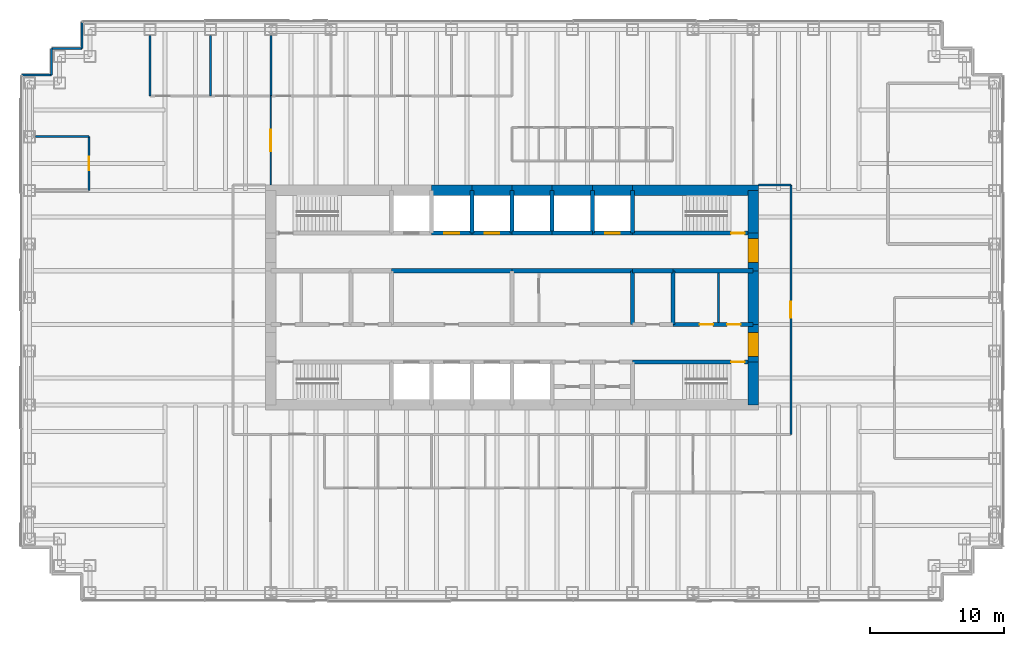
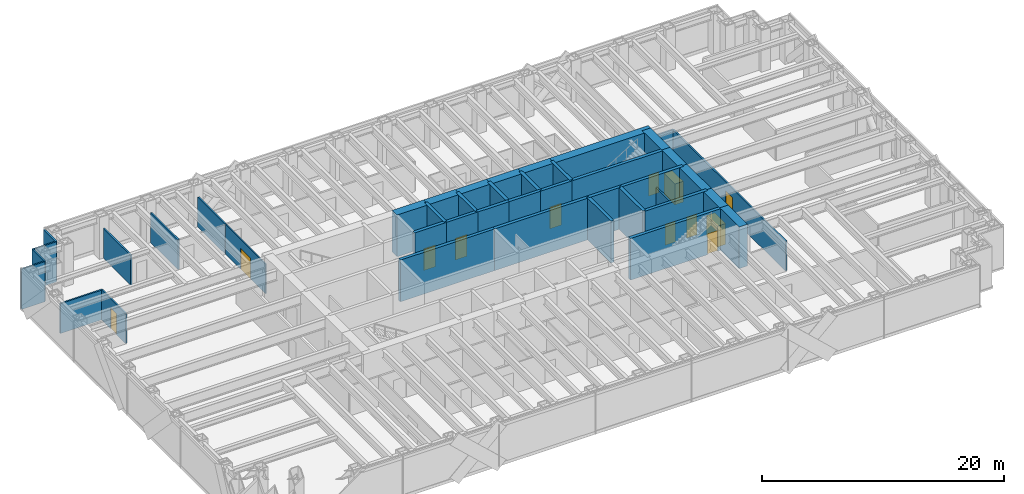
# One storey, part 12 of 15: 43 walls, 12 doors, 12 openings.
"""IFC4 building model written with IfcOpenShell, lengths in metres."""

from ifc_helpers import new_model, si_unit, direction, frame, frame_2d, origin, place, context, subcontext, project, spatial, rectangle, extrude, material, layer, layer_set, type_object, element, fill, save


model = new_model("IFC4")

# Units and contexts
model_context = context("Model", 3, precision=1e-05, world=origin(), true_north=direction((0.0, 1.0)))
body_context = subcontext(model_context, "Body", "Model", "MODEL_VIEW")
ifc_project = project(units=[si_unit("LENGTHUNIT", "METRE"), si_unit("AREAUNIT", "SQUARE_METRE"), si_unit("VOLUMEUNIT", "CUBIC_METRE"), si_unit("PLANEANGLEUNIT", "RADIAN"), si_unit("MASSUNIT", "GRAM", prefix="KILO")], contexts=[model_context])

# Site, building, storey
site_placement = place(None, origin())
site = spatial("IfcSite", under=ifc_project, at=site_placement, CompositionType="ELEMENT")
building_placement = place(site_placement, origin())
building = spatial("IfcBuilding", under=site, at=building_placement, Name="Rheinbord Bourse Tower", CompositionType="ELEMENT")
storey_placement = place(building_placement, frame((0.0, 0.0, 257.199951171875)))
storey = spatial("IfcBuildingStorey", under=building, at=storey_placement, Name="L58", CompositionType="ELEMENT", Elevation=257.199951171875)

# Wall, opening, door
ifc_material_1 = material(Name="Concrete C50/60", Category="concrete")
ifc_layer_1 = layer(ifc_material_1, 0.300048828125)
ifc_layer_set_1 = layer_set([ifc_layer_1], Name="CORE INNER WALL 300")
wall_type_1 = type_object("IfcWallType", Name="CORE INNER WALL 300", PredefinedType="SOLIDWALL", material=ifc_layer_set_1)
wall_1_placement = place(storey_placement, frame((45.0, 19.199951171875, 0.0), z_axis=(0.0, 0.0, 1.0), x_axis=(1.0, 0.0, 0.0)))
wall_1 = element("IfcWall", 1, at=wall_1_placement, inside=storey, type_object=wall_type_1, Name="Core wall A8 L58", PredefinedType="SOLIDWALL", context=body_context, shape_type="SweptSolid", body=[
    extrude(rectangle(XDim=9.0, YDim=0.300048828125, at=frame_2d((4.5, 0.0))), origin(), (0.0, 0.0, 1.0), 4.199951171875),
])
opening_1_placement = place(wall_1_placement, frame((7.35009765625, 0.0, 0.0)))
opening_1 = element("IfcOpeningElement", 2, at=opening_1_placement, cuts=wall_1, Name="Opening 5830", PredefinedType="OPENING", context=body_context, shape_type="SweptSolid", body=[
    extrude(rectangle(XDim=1.0, YDim=2.10009765625, at=frame_2d((0.5, 1.050048828125))), frame((0.0, 0.159912109375, 0.0), z_axis=(0.0, -1.0, 0.0), x_axis=(1.0, 0.0, 0.0)), (0.0, 0.0, 1.0), 0.320068359375),
])
ifc_material_2 = material(Name="Steel door", Category="steel")
door_type_1 = type_object("IfcDoorType", Name="DOOR 1000 EI30", OperationType="SINGLE_SWING_LEFT", PredefinedType="DOOR", material=ifc_material_2)
door_1_placement = place(opening_1_placement, origin())
door_1 = element("IfcDoor", 3, at=door_1_placement, inside=storey, type_object=door_type_1, Name="Stair door ST3 L58", OperationType="SINGLE_SWING_RIGHT", OverallHeight=2.10009765625, OverallWidth=1.0, PredefinedType="DOOR", context=body_context, shape_type="SweptSolid", body=[
    extrude(rectangle(XDim=1.0, YDim=2.10009765625, at=frame_2d((0.5, 1.050048828125))), frame((0.0, 0.02490234375, 0.0), z_axis=(0.0, -1.0, 0.0), x_axis=(1.0, 0.0, 0.0)), (0.0, 0.0, 1.0), 0.050048828125),
])
fill(opening_1, door_1)

wall_2_placement = place(storey_placement, frame((30.0, 28.800048828125, 0.0), z_axis=(0.0, 0.0, 1.0), x_axis=(1.0, 0.0, 0.0)))
wall_2 = element("IfcWall", 4, at=wall_2_placement, inside=storey, type_object=wall_type_1, Name="Core wall B3 L58", PredefinedType="SOLIDWALL", context=body_context, shape_type="SweptSolid", body=[
    extrude(rectangle(XDim=3.0, YDim=0.300048828125, at=frame_2d((1.5, 0.0))), origin(), (0.0, 0.0, 1.0), 4.199951171875),
])
opening_2_placement = place(wall_2_placement, frame((0.949951171875, 0.0, 0.0)))
opening_2 = element("IfcOpeningElement", 5, at=opening_2_placement, cuts=wall_2, Name="Opening PC4", PredefinedType="OPENING", context=body_context, shape_type="SweptSolid", body=[
    extrude(rectangle(XDim=1.10009765625, YDim=2.199951171875, at=frame_2d((0.550048828125, 1.10009765625))), frame((0.0, 0.159912109375, 0.0), z_axis=(0.0, -1.0, 0.0), x_axis=(1.0, 0.0, 0.0)), (0.0, 0.0, 1.0), 0.320068359375),
])
ifc_material_3 = material(Name="Steel landing door", Category="steel")
door_type_2 = type_object("IfcDoorType", Name="LIFT LANDING DOOR 1100", OperationType="DOUBLE_DOOR_SLIDING", PredefinedType="USERDEFINED", material=ifc_material_3)
door_2_placement = place(opening_2_placement, origin())
door_2 = element("IfcDoor", 6, at=door_2_placement, inside=storey, type_object=door_type_2, Name="Lift landing door PC4 L58", ObjectType="LIFT LANDING DOOR", OperationType="DOUBLE_DOOR_SLIDING", OverallHeight=2.199951171875, OverallWidth=1.10009765625, PredefinedType="USERDEFINED", context=body_context, shape_type="SweptSolid", body=[
    extrude(rectangle(XDim=1.10009765625, YDim=2.199951171875, at=frame_2d((0.550048828125, 1.10009765625))), frame((0.0, 0.02490234375, 0.0), z_axis=(0.0, -1.0, 0.0), x_axis=(1.0, 0.0, 0.0)), (0.0, 0.0, 1.0), 0.050048828125),
])
fill(opening_2, door_2)

wall_3_placement = place(storey_placement, frame((33.0, 28.800048828125, 0.0), z_axis=(0.0, 0.0, 1.0), x_axis=(1.0, 0.0, 0.0)))
wall_3 = element("IfcWall", 7, at=wall_3_placement, inside=storey, type_object=wall_type_1, Name="Core wall B4 L58", PredefinedType="SOLIDWALL", context=body_context, shape_type="SweptSolid", body=[
    extrude(rectangle(XDim=3.0, YDim=0.300048828125, at=frame_2d((1.5, 0.0))), origin(), (0.0, 0.0, 1.0), 4.199951171875),
])
opening_3_placement = place(wall_3_placement, frame((0.949951171875, 0.0, 0.0)))
opening_3 = element("IfcOpeningElement", 8, at=opening_3_placement, cuts=wall_3, Name="Opening PC5", PredefinedType="OPENING", context=body_context, shape_type="SweptSolid", body=[
    extrude(rectangle(XDim=1.10009765625, YDim=2.199951171875, at=frame_2d((0.550048828125, 1.10009765625))), frame((0.0, 0.159912109375, 0.0), z_axis=(0.0, -1.0, 0.0), x_axis=(1.0, 0.0, 0.0)), (0.0, 0.0, 1.0), 0.320068359375),
])
door_3_placement = place(opening_3_placement, origin())
door_3 = element("IfcDoor", 9, at=door_3_placement, inside=storey, type_object=door_type_2, Name="Lift landing door PC5 L58", ObjectType="LIFT LANDING DOOR", OperationType="DOUBLE_DOOR_SLIDING", OverallHeight=2.199951171875, OverallWidth=1.10009765625, PredefinedType="USERDEFINED", context=body_context, shape_type="SweptSolid", body=[
    extrude(rectangle(XDim=1.10009765625, YDim=2.199951171875, at=frame_2d((0.550048828125, 1.10009765625))), frame((0.0, 0.02490234375, 0.0), z_axis=(0.0, -1.0, 0.0), x_axis=(1.0, 0.0, 0.0)), (0.0, 0.0, 1.0), 0.050048828125),
])
fill(opening_3, door_3)

# Walls
for number, where, z_axis, x_axis, name in (
    (10, (36.0, 28.800048828125, 0.0), (0.0, 0.0, 1.0), (1.0, 0.0, 0.0), "Core wall B5 L58"),
    (11, (39.0, 28.800048828125, 0.0), (0.0, 0.0, 1.0), (1.0, 0.0, 0.0), "Core wall B6 L58"),
):
    element("IfcWall", number, at=place(storey_placement, frame(where, z_axis=z_axis, x_axis=x_axis)), inside=storey, type_object=wall_type_1, Name=name, PredefinedType="SOLIDWALL", context=body_context, shape_type="SweptSolid", body=[
        extrude(rectangle(XDim=3.0, YDim=0.300048828125, at=frame_2d((1.5, 0.0))), origin(), (0.0, 0.0, 1.0), 4.199951171875),
    ])

# Wall, opening, door
wall_4_placement = place(storey_placement, frame((42.0, 28.800048828125, 0.0), z_axis=(0.0, 0.0, 1.0), x_axis=(1.0, 0.0, 0.0)))
wall_4 = element("IfcWall", 12, at=wall_4_placement, inside=storey, type_object=wall_type_1, Name="Core wall B7 L58", PredefinedType="SOLIDWALL", context=body_context, shape_type="SweptSolid", body=[
    extrude(rectangle(XDim=3.0, YDim=0.300048828125, at=frame_2d((1.5, 0.0))), origin(), (0.0, 0.0, 1.0), 4.199951171875),
])
opening_4_placement = place(wall_4_placement, frame((0.949951171875, 0.0, 0.0)))
opening_4 = element("IfcOpeningElement", 13, at=opening_4_placement, cuts=wall_4, Name="Opening FL2", PredefinedType="OPENING", context=body_context, shape_type="SweptSolid", body=[
    extrude(rectangle(XDim=1.10009765625, YDim=2.199951171875, at=frame_2d((0.550048828125, 1.10009765625))), frame((0.0, 0.159912109375, 0.0), z_axis=(0.0, -1.0, 0.0), x_axis=(1.0, 0.0, 0.0)), (0.0, 0.0, 1.0), 0.320068359375),
])
door_4_placement = place(opening_4_placement, origin())
door_4 = element("IfcDoor", 14, at=door_4_placement, inside=storey, type_object=door_type_2, Name="Lift landing door FL2 L58", ObjectType="LIFT LANDING DOOR", OperationType="DOUBLE_DOOR_SLIDING", OverallHeight=2.199951171875, OverallWidth=1.10009765625, PredefinedType="USERDEFINED", context=body_context, shape_type="SweptSolid", body=[
    extrude(rectangle(XDim=1.10009765625, YDim=2.199951171875, at=frame_2d((0.550048828125, 1.10009765625))), frame((0.0, 0.02490234375, 0.0), z_axis=(0.0, -1.0, 0.0), x_axis=(1.0, 0.0, 0.0)), (0.0, 0.0, 1.0), 0.050048828125),
])
fill(opening_4, door_4)

wall_5_placement = place(storey_placement, frame((45.0, 28.800048828125, 0.0), z_axis=(0.0, 0.0, 1.0), x_axis=(1.0, 0.0, 0.0)))
wall_5 = element("IfcWall", 15, at=wall_5_placement, inside=storey, type_object=wall_type_1, Name="Core wall B8 L58", PredefinedType="SOLIDWALL", context=body_context, shape_type="SweptSolid", body=[
    extrude(rectangle(XDim=9.0, YDim=0.300048828125, at=frame_2d((4.5, 0.0))), origin(), (0.0, 0.0, 1.0), 4.199951171875),
])
opening_5_placement = place(wall_5_placement, frame((7.35009765625, 0.0, 0.0)))
opening_5 = element("IfcOpeningElement", 16, at=opening_5_placement, cuts=wall_5, Name="Opening 5840", PredefinedType="OPENING", context=body_context, shape_type="SweptSolid", body=[
    extrude(rectangle(XDim=1.0, YDim=2.10009765625, at=frame_2d((0.5, 1.050048828125))), frame((0.0, 0.159912109375, 0.0), z_axis=(0.0, -1.0, 0.0), x_axis=(1.0, 0.0, 0.0)), (0.0, 0.0, 1.0), 0.320068359375),
])
door_5_placement = place(opening_5_placement, origin())
door_5 = element("IfcDoor", 17, at=door_5_placement, inside=storey, type_object=door_type_1, Name="Stair door ST4 L58", OperationType="SINGLE_SWING_RIGHT", OverallHeight=2.10009765625, OverallWidth=1.0, PredefinedType="DOOR", context=body_context, shape_type="SweptSolid", body=[
    extrude(rectangle(XDim=1.0, YDim=2.10009765625, at=frame_2d((0.5, 1.050048828125))), frame((0.0, 0.02490234375, 0.0), z_axis=(0.0, -1.0, 0.0), x_axis=(1.0, 0.0, 0.0)), (0.0, 0.0, 1.0), 0.050048828125),
])
fill(opening_5, door_5)

# Wall, openings, doors
wall_6_placement = place(storey_placement, frame((48.0, 22.0, 0.0), z_axis=(0.0, 0.0, 1.0), x_axis=(1.0, 0.0, 0.0)))
wall_6 = element("IfcWall", 18, at=wall_6_placement, inside=storey, type_object=wall_type_1, Name="Core wall C6 L58", PredefinedType="SOLIDWALL", context=body_context, shape_type="SweptSolid", body=[
    extrude(rectangle(XDim=6.0, YDim=0.300048828125, at=frame_2d((3.0, 0.0))), origin(), (0.0, 0.0, 1.0), 4.199951171875),
])
opening_6_placement = place(wall_6_placement, frame((2.0, 0.0, 0.0)))
opening_6 = element("IfcOpeningElement", 19, at=opening_6_placement, cuts=wall_6, Name="Opening 58R6", PredefinedType="OPENING", context=body_context, shape_type="SweptSolid", body=[
    extrude(rectangle(XDim=1.0, YDim=2.10009765625, at=frame_2d((0.5, 1.050048828125))), frame((0.0, 0.159912109375, 0.0), z_axis=(0.0, -1.0, 0.0), x_axis=(1.0, 0.0, 0.0)), (0.0, 0.0, 1.0), 0.320068359375),
])
opening_7_placement = place(wall_6_placement, frame((4.050048828125, 0.0, 0.0)))
opening_7 = element("IfcOpeningElement", 20, at=opening_7_placement, cuts=wall_6, Name="Opening 58R10", PredefinedType="OPENING", context=body_context, shape_type="SweptSolid", body=[
    extrude(rectangle(XDim=1.0, YDim=2.10009765625, at=frame_2d((0.5, 1.050048828125))), frame((0.0, 0.159912109375, 0.0), z_axis=(0.0, -1.0, 0.0), x_axis=(1.0, 0.0, 0.0)), (0.0, 0.0, 1.0), 0.320068359375),
])
door_6_placement = place(opening_7_placement, origin())
door_6 = element("IfcDoor", 21, at=door_6_placement, inside=storey, type_object=door_type_1, Name="Cleaner's store door L58", OperationType="SINGLE_SWING_RIGHT", OverallHeight=2.10009765625, OverallWidth=1.0, PredefinedType="DOOR", context=body_context, shape_type="SweptSolid", body=[
    extrude(rectangle(XDim=1.0, YDim=2.10009765625, at=frame_2d((0.5, 1.050048828125))), frame((0.0, 0.02490234375, 0.0), z_axis=(0.0, -1.0, 0.0), x_axis=(1.0, 0.0, 0.0)), (0.0, 0.0, 1.0), 0.050048828125),
])
fill(opening_7, door_6)
ifc_material_4 = material(Name="Timber door", Category="wood")
door_type_3 = type_object("IfcDoorType", Name="DOOR 1000 WC", OperationType="SINGLE_SWING_LEFT", PredefinedType="DOOR", material=ifc_material_4)
door_7_placement = place(opening_6_placement, origin())
door_7 = element("IfcDoor", 22, at=door_7_placement, inside=storey, type_object=door_type_3, Name="WC women door L58", OperationType="SINGLE_SWING_LEFT", OverallHeight=2.10009765625, OverallWidth=1.0, PredefinedType="DOOR", context=body_context, shape_type="SweptSolid", body=[
    extrude(rectangle(XDim=1.0, YDim=2.10009765625, at=frame_2d((0.5, 1.050048828125))), frame((0.0, 0.02490234375, 0.0), z_axis=(0.0, -1.0, 0.0), x_axis=(1.0, 0.0, 0.0)), (0.0, 0.0, 1.0), 0.050048828125),
])
fill(opening_6, door_7)

# Walls
for number, where, z_axis, x_axis, name in (
    (23, (27.0, 26.0, 0.0), (0.0, 0.0, 1.0), (1.0, 0.0, 0.0), "Core wall D3 L58"),
    (24, (36.0, 26.0, 0.0), (0.0, 0.0, 1.0), (1.0, 0.0, 0.0), "Core wall D4 L58"),
):
    element("IfcWall", number, at=place(storey_placement, frame(where, z_axis=z_axis, x_axis=x_axis)), inside=storey, type_object=wall_type_1, Name=name, PredefinedType="SOLIDWALL", context=body_context, shape_type="SweptSolid", body=[
        extrude(rectangle(XDim=9.0, YDim=0.300048828125, at=frame_2d((4.5, 0.0))), origin(), (0.0, 0.0, 1.0), 4.199951171875),
    ])
wall_7_placement = place(storey_placement, frame((45.0, 26.0, 0.0), z_axis=(0.0, 0.0, 1.0), x_axis=(1.0, 0.0, 0.0)))
element("IfcWall", 25, at=wall_7_placement, inside=storey, type_object=wall_type_1, Name="Core wall D5 L58", PredefinedType="SOLIDWALL", context=body_context, shape_type="SweptSolid", body=[
    extrude(rectangle(XDim=3.0, YDim=0.300048828125, at=frame_2d((1.5, 0.0))), origin(), (0.0, 0.0, 1.0), 4.199951171875),
])
wall_8_placement = place(storey_placement, frame((48.0, 26.0, 0.0), z_axis=(0.0, 0.0, 1.0), x_axis=(1.0, 0.0, 0.0)))
element("IfcWall", 26, at=wall_8_placement, inside=storey, type_object=wall_type_1, Name="Core wall D6 L58", PredefinedType="SOLIDWALL", context=body_context, shape_type="SweptSolid", body=[
    extrude(rectangle(XDim=6.0, YDim=0.300048828125, at=frame_2d((3.0, 0.0))), origin(), (0.0, 0.0, 1.0), 4.199951171875),
])
for number, where, z_axis, x_axis, name in (
    (27, (33.0, 28.800048828125, 0.0), (0.0, 0.0, 1.0), (0.0, 1.0, 0.0), "Core wall NX33 L58"),
    (28, (36.0, 28.800048828125, 0.0), (0.0, 0.0, 1.0), (0.0, 1.0, 0.0), "Core wall NX36 L58"),
    (29, (39.0, 28.800048828125, 0.0), (0.0, 0.0, 1.0), (0.0, 1.0, 0.0), "Core wall NX39 L58"),
    (30, (42.0, 28.800048828125, 0.0), (0.0, 0.0, 1.0), (0.0, 1.0, 0.0), "Core wall NX42 L58"),
    (31, (45.0, 28.800048828125, 0.0), (0.0, 0.0, 1.0), (0.0, 1.0, 0.0), "Core wall NX45 L58"),
):
    element("IfcWall", number, at=place(storey_placement, frame(where, z_axis=z_axis, x_axis=x_axis)), inside=storey, type_object=wall_type_1, Name=name, PredefinedType="SOLIDWALL", context=body_context, shape_type="SweptSolid", body=[
        extrude(rectangle(XDim=3.199951171875, YDim=0.300048828125, at=frame_2d((1.60009765625, 0.0))), origin(), (0.0, 0.0, 1.0), 4.199951171875),
    ])
for number, where, z_axis, x_axis, name in (
    (32, (45.0, 22.0, 0.0), (0.0, 0.0, 1.0), (0.0, 1.0, 0.0), "Core wall MX45 L58"),
    (33, (48.0, 22.0, 0.0), (0.0, 0.0, 1.0), (0.0, 1.0, 0.0), "Core wall MX48 L58"),
):
    element("IfcWall", number, at=place(storey_placement, frame(where, z_axis=z_axis, x_axis=x_axis)), inside=storey, type_object=wall_type_1, Name=name, PredefinedType="SOLIDWALL", context=body_context, shape_type="SweptSolid", body=[
        extrude(rectangle(XDim=4.0, YDim=0.300048828125, at=frame_2d((2.0, 0.0))), origin(), (0.0, 0.0, 1.0), 4.199951171875),
    ])
ifc_material_5 = material(Name="Gypsum board fire partition", Category="gypsum board")
ifc_layer_2 = layer(ifc_material_5, 0.14990234375)
ifc_layer_set_2 = layer_set([ifc_layer_2], Name="CORE PARTITION 150 EI30")
wall_type_2 = type_object("IfcWallType", Name="CORE PARTITION 150 EI30", PredefinedType="PARTITIONING", material=ifc_layer_set_2)
wall_9_placement = place(storey_placement, frame((51.425048828125, 22.14990234375, 0.0), z_axis=(0.0, 0.0, 1.0), x_axis=(0.0, 1.0, 0.0)))
element("IfcWall", 34, at=wall_9_placement, inside=storey, type_object=wall_type_2, Name="Core partition L58-3", PredefinedType="PARTITIONING", context=body_context, shape_type="SweptSolid", body=[
    extrude(rectangle(XDim=3.7001953125, YDim=0.14990234375, at=frame_2d((1.85009765625, 0.0))), origin(), (0.0, 0.0, 1.0), 3.0),
])
ifc_material_6 = material(Name="Concrete C50/60", Category="concrete")
ifc_layer_3 = layer(ifc_material_6, 0.800048828125)
ifc_layer_set_3 = layer_set([ifc_layer_3], Name="CORE WALL 800")
wall_type_3 = type_object("IfcWallType", Name="CORE WALL 800", PredefinedType="SHEAR", material=ifc_layer_set_3)
wall_10_placement = place(storey_placement, frame((54.39990234375, 32.0, 0.0), z_axis=(0.0, 0.0, 1.0), x_axis=(-1.0, 0.0, 0.0)))
element("IfcWall", 35, at=wall_10_placement, inside=storey, type_object=wall_type_3, Name="Core wall N1 L58", PredefinedType="SHEAR", context=body_context, shape_type="SweptSolid", body=[
    extrude(rectangle(XDim=9.39990234375, YDim=0.800048828125, at=frame_2d((4.699951171875, 0.0))), origin(), (0.0, 0.0, 1.0), 4.199951171875),
])
for number, where, z_axis, x_axis, name in (
    (36, (45.0, 32.0, 0.0), (0.0, 0.0, 1.0), (-1.0, 0.0, 0.0), "Core wall N2 L58"),
    (37, (42.0, 32.0, 0.0), (0.0, 0.0, 1.0), (-1.0, 0.0, 0.0), "Core wall N3 L58"),
    (38, (39.0, 32.0, 0.0), (0.0, 0.0, 1.0), (-1.0, 0.0, 0.0), "Core wall N4 L58"),
    (39, (36.0, 32.0, 0.0), (0.0, 0.0, 1.0), (-1.0, 0.0, 0.0), "Core wall N5 L58"),
    (40, (33.0, 32.0, 0.0), (0.0, 0.0, 1.0), (-1.0, 0.0, 0.0), "Core wall N6 L58"),
):
    element("IfcWall", number, at=place(storey_placement, frame(where, z_axis=z_axis, x_axis=x_axis)), inside=storey, type_object=wall_type_3, Name=name, PredefinedType="SHEAR", context=body_context, shape_type="SweptSolid", body=[
        extrude(rectangle(XDim=3.0, YDim=0.800048828125, at=frame_2d((1.5, 0.0))), origin(), (0.0, 0.0, 1.0), 4.199951171875),
    ])
wall_11_placement = place(storey_placement, frame((54.0, 16.0, 0.0), z_axis=(0.0, 0.0, 1.0), x_axis=(0.0, 1.0, 0.0)))
element("IfcWall", 41, at=wall_11_placement, inside=storey, type_object=wall_type_3, Name="Core wall E1 L58", PredefinedType="SHEAR", context=body_context, shape_type="SweptSolid", body=[
    extrude(rectangle(XDim=3.199951171875, YDim=0.800048828125, at=frame_2d((1.60009765625, 0.0))), origin(), (0.0, 0.0, 1.0), 4.199951171875),
])

# Wall, opening, door
wall_12_placement = place(storey_placement, frame((54.0, 19.199951171875, 0.0), z_axis=(0.0, 0.0, 1.0), x_axis=(0.0, 1.0, 0.0)))
wall_12 = element("IfcWall", 42, at=wall_12_placement, inside=storey, type_object=wall_type_3, Name="Core wall E2 L58", PredefinedType="SHEAR", context=body_context, shape_type="SweptSolid", body=[
    extrude(rectangle(XDim=2.800048828125, YDim=0.800048828125, at=frame_2d((1.39990234375, 0.0))), origin(), (0.0, 0.0, 1.0), 4.199951171875),
])
opening_8_placement = place(wall_12_placement, frame((0.39990234375, 0.0, 0.0)))
opening_8 = element("IfcOpeningElement", 43, at=opening_8_placement, cuts=wall_12, Name="Opening 58L3", PredefinedType="OPENING", context=body_context, shape_type="SweptSolid", body=[
    extrude(rectangle(XDim=1.800048828125, YDim=2.10009765625, at=frame_2d((0.89990234375, 1.050048828125))), frame((0.0, 0.409912109375, 0.0), z_axis=(0.0, -1.0, 0.0), x_axis=(1.0, 0.0, 0.0)), (0.0, 0.0, 1.0), 0.820068359375),
])
ifc_material_7 = material(Name="Steel door", Category="steel")
door_type_4 = type_object("IfcDoorType", Name="DOOR 1800 EI30 DOUBLE", OperationType="DOUBLE_DOOR_DOUBLE_SWING", PredefinedType="DOOR", material=ifc_material_7)
door_8_placement = place(opening_8_placement, origin())
door_8 = element("IfcDoor", 44, at=door_8_placement, inside=storey, type_object=door_type_4, Name="Lobby door 3 L58", OperationType="SINGLE_SWING_LEFT", OverallHeight=2.10009765625, OverallWidth=1.800048828125, PredefinedType="DOOR", context=body_context, shape_type="SweptSolid", body=[
    extrude(rectangle(XDim=1.800048828125, YDim=2.10009765625, at=frame_2d((0.89990234375, 1.050048828125))), frame((0.0, 0.39990234375, 0.0), z_axis=(0.0, -1.0, 0.0), x_axis=(1.0, 0.0, 0.0)), (0.0, 0.0, 1.0), 0.799560546875),
])
fill(opening_8, door_8)

# Wall
wall_13_placement = place(storey_placement, frame((54.0, 22.0, 0.0), z_axis=(0.0, 0.0, 1.0), x_axis=(0.0, 1.0, 0.0)))
element("IfcWall", 45, at=wall_13_placement, inside=storey, type_object=wall_type_3, Name="Core wall E3 L58", PredefinedType="SHEAR", context=body_context, shape_type="SweptSolid", body=[
    extrude(rectangle(XDim=4.0, YDim=0.800048828125, at=frame_2d((2.0, 0.0))), origin(), (0.0, 0.0, 1.0), 4.199951171875),
])

# Wall, opening, door
wall_14_placement = place(storey_placement, frame((54.0, 26.0, 0.0), z_axis=(0.0, 0.0, 1.0), x_axis=(0.0, 1.0, 0.0)))
wall_14 = element("IfcWall", 46, at=wall_14_placement, inside=storey, type_object=wall_type_3, Name="Core wall E4 L58", PredefinedType="SHEAR", context=body_context, shape_type="SweptSolid", body=[
    extrude(rectangle(XDim=2.800048828125, YDim=0.800048828125, at=frame_2d((1.39990234375, 0.0))), origin(), (0.0, 0.0, 1.0), 4.199951171875),
])
opening_9_placement = place(wall_14_placement, frame((0.60009765625, 0.0, 0.0)))
opening_9 = element("IfcOpeningElement", 47, at=opening_9_placement, cuts=wall_14, Name="Opening 58L4", PredefinedType="OPENING", context=body_context, shape_type="SweptSolid", body=[
    extrude(rectangle(XDim=1.800048828125, YDim=2.10009765625, at=frame_2d((0.89990234375, 1.050048828125))), frame((0.0, 0.409912109375, 0.0), z_axis=(0.0, -1.0, 0.0), x_axis=(1.0, 0.0, 0.0)), (0.0, 0.0, 1.0), 0.820068359375),
])
door_9_placement = place(opening_9_placement, origin())
door_9 = element("IfcDoor", 48, at=door_9_placement, inside=storey, type_object=door_type_4, Name="Lobby door 4 L58", OperationType="SINGLE_SWING_LEFT", OverallHeight=2.10009765625, OverallWidth=1.800048828125, PredefinedType="DOOR", context=body_context, shape_type="SweptSolid", body=[
    extrude(rectangle(XDim=1.800048828125, YDim=2.10009765625, at=frame_2d((0.89990234375, 1.050048828125))), frame((0.0, 0.39990234375, 0.0), z_axis=(0.0, -1.0, 0.0), x_axis=(1.0, 0.0, 0.0)), (0.0, 0.0, 1.0), 0.799560546875),
])
fill(opening_9, door_9)

# Walls
wall_15_placement = place(storey_placement, frame((54.0, 28.800048828125, 0.0), z_axis=(0.0, 0.0, 1.0), x_axis=(0.0, 1.0, 0.0)))
element("IfcWall", 49, at=wall_15_placement, inside=storey, type_object=wall_type_3, Name="Core wall E5 L58", PredefinedType="SHEAR", context=body_context, shape_type="SweptSolid", body=[
    extrude(rectangle(XDim=3.199951171875, YDim=0.800048828125, at=frame_2d((1.60009765625, 0.0))), origin(), (0.0, 0.0, 1.0), 4.199951171875),
])
ifc_material_8 = material(Name="Black metal rainscreen panel", Category="aluminium")
ifc_layer_4 = layer(ifc_material_8, 0.14990234375)
ifc_layer_set_4 = layer_set([ifc_layer_4], Name="CORNER PIER CLADDING 150")
wall_type_4 = type_object("IfcWallType", Name="CORNER PIER CLADDING 150", PredefinedType="ELEMENTEDWALL", material=ifc_layer_set_4)
wall_16_placement = place(storey_placement, frame((3.89990234375, 44.60009765625, 0.0), z_axis=(0.0, 0.0, 1.0), x_axis=(0.0, -1.0, 0.0)))
element("IfcWall", 50, at=wall_16_placement, inside=storey, type_object=wall_type_4, Name="Corner pier cladding L58 12", PredefinedType="ELEMENTEDWALL", context=body_context, shape_type="SweptSolid", body=[
    extrude(rectangle(XDim=2.0, YDim=0.14990234375, at=frame_2d((1.0, 0.0))), origin(), (0.0, 0.0, 1.0), 4.0400390625),
])
wall_17_placement = place(storey_placement, frame((3.89990234375, 42.60009765625, 0.0), z_axis=(0.0, 0.0, 1.0), x_axis=(-1.0, 0.0, 0.0)))
element("IfcWall", 51, at=wall_17_placement, inside=storey, type_object=wall_type_4, Name="Corner pier cladding L58 13", PredefinedType="ELEMENTEDWALL", context=body_context, shape_type="SweptSolid", body=[
    extrude(rectangle(XDim=2.25, YDim=0.14990234375, at=frame_2d((1.125, 0.0))), origin(), (0.0, 0.0, 1.0), 4.0400390625),
])
wall_18_placement = place(storey_placement, frame((1.64990234375, 42.60009765625, 0.0), z_axis=(0.0, 0.0, 1.0), x_axis=(0.0, -1.0, 0.0)))
element("IfcWall", 52, at=wall_18_placement, inside=storey, type_object=wall_type_4, Name="Corner pier cladding L58 14", PredefinedType="ELEMENTEDWALL", context=body_context, shape_type="SweptSolid", body=[
    extrude(rectangle(XDim=2.0, YDim=0.14990234375, at=frame_2d((1.0, 0.0))), origin(), (0.0, 0.0, 1.0), 4.0400390625),
])
wall_19_placement = place(storey_placement, frame((1.64990234375, 40.60009765625, 0.0), z_axis=(0.0, 0.0, 1.0), x_axis=(-1.0, 0.0, 0.0)))
element("IfcWall", 53, at=wall_19_placement, inside=storey, type_object=wall_type_4, Name="Corner pier cladding L58 15", PredefinedType="ELEMENTEDWALL", context=body_context, shape_type="SweptSolid", body=[
    extrude(rectangle(XDim=2.25, YDim=0.14990234375, at=frame_2d((1.125, 0.0))), origin(), (0.0, 0.0, 1.0), 4.0400390625),
])
ifc_material_9 = material(Name="Gypsum board corridor partition", Category="gypsum board")
ifc_layer_5 = layer(ifc_material_9, 0.14990234375)
ifc_layer_set_5 = layer_set([ifc_layer_5], Name="CORRIDOR PARTITION 150 EI30")
wall_type_5 = type_object("IfcWallType", Name="CORRIDOR PARTITION 150 EI30", PredefinedType="PARTITIONING", material=ifc_layer_set_5)
wall_20_placement = place(storey_placement, frame((54.39990234375, 32.39990234375, 0.0), z_axis=(0.0, 0.0, 1.0), x_axis=(1.0, 0.0, 0.0)))
element("IfcWall", 54, at=wall_20_placement, inside=storey, type_object=wall_type_5, Name="Partition L58-09", PredefinedType="PARTITIONING", context=body_context, shape_type="SweptSolid", body=[
    extrude(rectangle(XDim=2.400146484375, YDim=0.14990234375, at=frame_2d((1.2001953125, 0.0))), origin(), (0.0, 0.0, 1.0), 3.0),
])

# Wall, opening, door
wall_21_placement = place(storey_placement, frame((56.800048828125, 13.800048828125, 0.0), z_axis=(0.0, 0.0, 1.0), x_axis=(0.0, 1.0, 0.0)))
wall_21 = element("IfcWall", 55, at=wall_21_placement, inside=storey, type_object=wall_type_5, Name="Partition L58-43", PredefinedType="PARTITIONING", context=body_context, shape_type="SweptSolid", body=[
    extrude(rectangle(XDim=18.599853515625, YDim=0.14990234375, at=frame_2d((9.2998046875, 0.0))), origin(), (0.0, 0.0, 1.0), 3.0),
])
opening_10_placement = place(wall_21_placement, frame((8.699951171875, 0.0, 0.0)))
opening_10 = element("IfcOpeningElement", 56, at=opening_10_placement, cuts=wall_21, Name="Opening 58D28", PredefinedType="OPENING", context=body_context, shape_type="SweptSolid", body=[
    extrude(rectangle(XDim=1.199951171875, YDim=2.10009765625, at=frame_2d((0.60009765625, 1.050048828125))), frame((0.0, 0.0849609375, 0.0), z_axis=(0.0, -1.0, 0.0), x_axis=(1.0, 0.0, 0.0)), (0.0, 0.0, 1.0), 0.169921875),
])
ifc_material_10 = material(Name="Timber fire door", Category="wood")
door_type_5 = type_object("IfcDoorType", Name="SUITE ENTRANCE DOOR 1200 EI30", OperationType="SINGLE_SWING_LEFT", PredefinedType="DOOR", material=ifc_material_10)
door_10_placement = place(opening_10_placement, origin())
door_10 = element("IfcDoor", 57, at=door_10_placement, inside=storey, type_object=door_type_5, Name="Suite entrance 2 door L58", OperationType="SINGLE_SWING_LEFT", OverallHeight=2.10009765625, OverallWidth=1.199951171875, PredefinedType="DOOR", context=body_context, shape_type="SweptSolid", body=[
    extrude(rectangle(XDim=1.199951171875, YDim=2.10009765625, at=frame_2d((0.60009765625, 1.050048828125))), frame((0.0, 0.02490234375, 0.0), z_axis=(0.0, -1.0, 0.0), x_axis=(1.0, 0.0, 0.0)), (0.0, 0.0, 1.0), 0.050048828125),
])
fill(opening_10, door_10)

ifc_material_11 = material(Name="Toughened laminated glass partition", Category="glass")
ifc_layer_6 = layer(ifc_material_11, 0.10009765625)
ifc_layer_set_6 = layer_set([ifc_layer_6], Name="GLAZED PARTITION 100")
wall_type_6 = type_object("IfcWallType", Name="GLAZED PARTITION 100", PredefinedType="PARTITIONING", material=ifc_layer_set_6)
wall_22_placement = place(storey_placement, frame((18.0, 32.39990234375, 0.0), z_axis=(0.0, 0.0, 1.0), x_axis=(0.0, 1.0, 0.0)))
wall_22 = element("IfcWall", 58, at=wall_22_placement, inside=storey, type_object=wall_type_6, Name="Partition L58-20", PredefinedType="PARTITIONING", context=body_context, shape_type="SweptSolid", body=[
    extrude(rectangle(XDim=6.650146484375, YDim=0.10009765625, at=frame_2d((3.3251953125, 0.0))), origin(), (0.0, 0.0, 1.0), 3.0),
])
opening_11_placement = place(wall_22_placement, frame((2.52490234375, 0.0, 0.0)))
opening_11 = element("IfcOpeningElement", 59, at=opening_11_placement, cuts=wall_22, Name="Opening 58D24", PredefinedType="OPENING", context=body_context, shape_type="SweptSolid", body=[
    extrude(rectangle(XDim=1.60009765625, YDim=2.10009765625, at=frame_2d((0.800048828125, 1.050048828125))), frame((0.0, 0.06005859375, 0.0), z_axis=(0.0, -1.0, 0.0), x_axis=(1.0, 0.0, 0.0)), (0.0, 0.0, 1.0), 0.1201171875),
])
ifc_material_12 = material(Name="Timber door", Category="wood")
door_type_6 = type_object("IfcDoorType", Name="DOUBLE ROOM DOOR 1600", OperationType="DOUBLE_DOOR_DOUBLE_SWING", PredefinedType="DOOR", material=ifc_material_12)
door_11_placement = place(opening_11_placement, origin())
door_11 = element("IfcDoor", 60, at=door_11_placement, inside=storey, type_object=door_type_6, Name="Open area door L58", OperationType="SINGLE_SWING_LEFT", OverallHeight=2.10009765625, OverallWidth=1.60009765625, PredefinedType="DOOR", context=body_context, shape_type="SweptSolid", body=[
    extrude(rectangle(XDim=1.60009765625, YDim=2.10009765625, at=frame_2d((0.800048828125, 1.050048828125))), frame((0.0, 0.02490234375, 0.0), z_axis=(0.0, -1.0, 0.0), x_axis=(1.0, 0.0, 0.0)), (0.0, 0.0, 1.0), 0.050048828125),
])
fill(opening_11, door_11)

# Wall
ifc_material_13 = material(Name="Gypsum board partition", Category="gypsum board")
ifc_layer_7 = layer(ifc_material_13, 0.14990234375)
ifc_layer_set_7 = layer_set([ifc_layer_7], Name="PARTITION 150")
wall_type_7 = type_object("IfcWallType", Name="PARTITION 150", PredefinedType="PARTITIONING", material=ifc_layer_set_7)
wall_23_placement = place(storey_placement, frame((0.449951171875, 36.0, 0.0), z_axis=(0.0, 0.0, 1.0), x_axis=(1.0, 0.0, 0.0)))
element("IfcWall", 61, at=wall_23_placement, inside=storey, type_object=wall_type_7, Name="Partition L58-11", PredefinedType="PARTITIONING", context=body_context, shape_type="SweptSolid", body=[
    extrude(rectangle(XDim=4.0, YDim=0.14990234375, at=frame_2d((2.0, 0.0))), origin(), (0.0, 0.0, 1.0), 3.0),
])

# Wall, opening, door
wall_24_placement = place(storey_placement, frame((4.449951171875, 32.0, 0.0), z_axis=(0.0, 0.0, 1.0), x_axis=(0.0, 1.0, 0.0)))
wall_24 = element("IfcWall", 62, at=wall_24_placement, inside=storey, type_object=wall_type_7, Name="Partition L58-15", PredefinedType="PARTITIONING", context=body_context, shape_type="SweptSolid", body=[
    extrude(rectangle(XDim=4.0, YDim=0.14990234375, at=frame_2d((2.0, 0.0))), origin(), (0.0, 0.0, 1.0), 3.0),
])
opening_12_placement = place(wall_24_placement, frame((1.5, 0.0, 0.0)))
opening_12 = element("IfcOpeningElement", 63, at=opening_12_placement, cuts=wall_24, Name="Opening 58D09", PredefinedType="OPENING", context=body_context, shape_type="SweptSolid", body=[
    extrude(rectangle(XDim=1.0, YDim=2.10009765625, at=frame_2d((0.5, 1.050048828125))), frame((0.0, 0.0849609375, 0.0), z_axis=(0.0, -1.0, 0.0), x_axis=(1.0, 0.0, 0.0)), (0.0, 0.0, 1.0), 0.169921875),
])
ifc_material_14 = material(Name="Timber door", Category="wood")
door_type_7 = type_object("IfcDoorType", Name="ROOM DOOR 1000", OperationType="SINGLE_SWING_LEFT", PredefinedType="DOOR", material=ifc_material_14)
door_12_placement = place(opening_12_placement, origin())
door_12 = element("IfcDoor", 64, at=door_12_placement, inside=storey, type_object=door_type_7, Name="Store door L58", OperationType="SINGLE_SWING_LEFT", OverallHeight=2.10009765625, OverallWidth=1.0, PredefinedType="DOOR", context=body_context, shape_type="SweptSolid", body=[
    extrude(rectangle(XDim=1.0, YDim=2.10009765625, at=frame_2d((0.5, 1.050048828125))), frame((0.0, 0.02490234375, 0.0), z_axis=(0.0, -1.0, 0.0), x_axis=(1.0, 0.0, 0.0)), (0.0, 0.0, 1.0), 0.050048828125),
])
fill(opening_12, door_12)

# Walls
for number, where, z_axis, x_axis, name in (
    (65, (9.0, 39.050048828125, 0.0), (0.0, 0.0, 1.0), (0.0, 1.0, 0.0), "Partition L58-16"),
    (66, (13.5, 39.050048828125, 0.0), (0.0, 0.0, 1.0), (0.0, 1.0, 0.0), "Partition L58-17"),
    (67, (18.0, 39.050048828125, 0.0), (0.0, 0.0, 1.0), (0.0, 1.0, 0.0), "Partition L58-21"),
):
    element("IfcWall", number, at=place(storey_placement, frame(where, z_axis=z_axis, x_axis=x_axis)), inside=storey, type_object=wall_type_7, Name=name, PredefinedType="PARTITIONING", context=body_context, shape_type="SweptSolid", body=[
        extrude(rectangle(XDim=4.5, YDim=0.14990234375, at=frame_2d((2.25, 0.0))), origin(), (0.0, 0.0, 1.0), 3.0),
    ])

save(model, "model.ifc")
